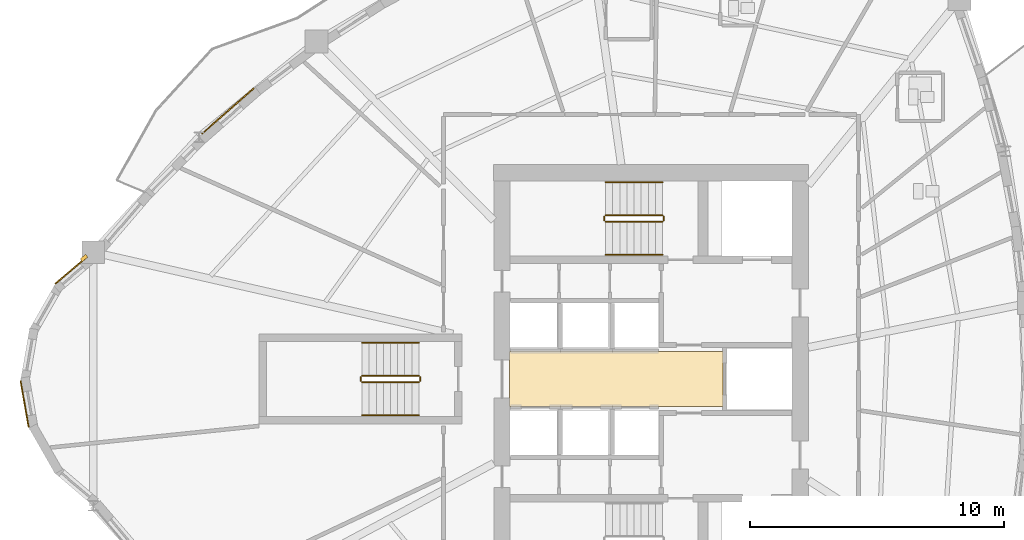
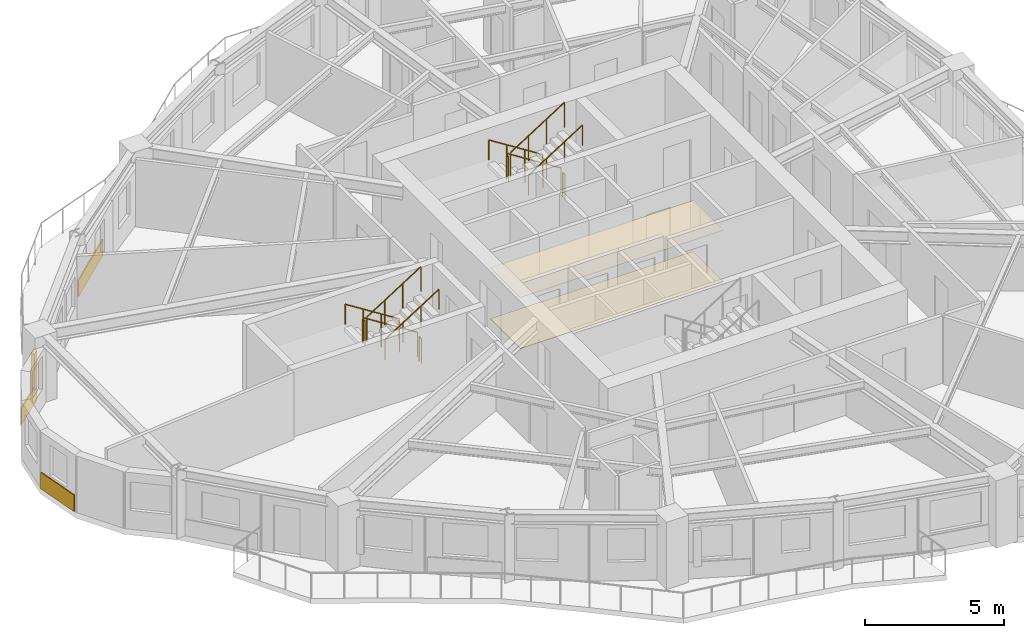
# One storey, part 10 of 12: 12 railings, 5 coverings, 1 shading device.
"""IFC4 building model written with IfcOpenShell, lengths in metres."""

import ifcopenshell
import ifcopenshell.guid

model = None  # the IFC model being written
_history = None  # IfcOwnerHistory: only IFC2X3 demands one
_inside = {}  # id of a spatial element -> (the spatial element, [elements in it])
_under = {}  # id of a project, library or spatial element -> (it, [spatial elements below it])
_declared = {}  # id of a project -> (the project, [libraries it declares])
_typed = {}  # id of a type object -> (the type object, [elements of that type])
_made_of = {}  # id of a material, layer set ... -> (it, [elements and type objects made of it])


def new_model(schema):
    """Start an empty IFC model of exactly this schema.

    Asked for "IFC4X3", IfcOpenShell would pick the latest addendum, in which some entities
    have other attributes; the version numbers below select the first issue.
    IFC2X3 requires an IfcOwnerHistory on every rooted entity: one is made here for all.
    """
    global model, _history
    if schema == "IFC4X3":
        model = ifcopenshell.file(schema_version=(4, 3, 0, 0))
    else:
        model = ifcopenshell.file(schema=schema)
    _inside.clear()
    _under.clear()
    _declared.clear()
    _typed.clear()
    _made_of.clear()
    _history = None
    if model.schema == "IFC2X3":
        org = make("IfcOrganization", Name="unknown")
        user = make(
            "IfcPersonAndOrganization",
            ThePerson=make("IfcPerson", FamilyName="unknown"),
            TheOrganization=org,
        )
        app = make(
            "IfcApplication",
            ApplicationDeveloper=org,
            Version="unknown",
            ApplicationFullName="unknown",
            ApplicationIdentifier="unknown",
        )
        _history = make(
            "IfcOwnerHistory",
            OwningUser=user,
            OwningApplication=app,
            ChangeAction="ADDED",
            CreationDate=0,
        )
    return model


def make(cls, **values):
    """One entity of the class cls with the attributes given. An attribute that is None is left unset."""
    return model.create_entity(
        cls, **{name: value for name, value in values.items() if value is not None}
    )


def rooted(cls, **values):
    """An entity with a GlobalId (a new one), such as an element, a storey or a relation."""
    return make(cls, GlobalId=ifcopenshell.guid.new(), OwnerHistory=_history, **values)


def si_unit(unit_type, name, prefix=None):
    """IfcSIUnit, for example si_unit("LENGTHUNIT", "METRE", prefix="MILLI")."""
    return make("IfcSIUnit", UnitType=unit_type, Prefix=prefix, Name=name)


def assignment(units):
    """IfcUnitAssignment: the units of a project."""
    return None if units is None else make("IfcUnitAssignment", Units=units)


def point(xyz):
    """IfcCartesianPoint."""
    return None if xyz is None else make("IfcCartesianPoint", Coordinates=xyz)


def direction(xyz):
    """IfcDirection."""
    return None if xyz is None else make("IfcDirection", DirectionRatios=xyz)


def frame(location, z_axis=None, x_axis=None):
    """IfcAxis2Placement3D, a coordinate frame: its origin and axes. An axis left out is left unset."""
    return make(
        "IfcAxis2Placement3D",
        Location=point(location),
        Axis=direction(z_axis),
        RefDirection=direction(x_axis),
    )


def frame_2d(location, x_axis=None):
    """IfcAxis2Placement2D, a coordinate frame in the plane: its origin and x axis."""
    return make(
        "IfcAxis2Placement2D", Location=point(location), RefDirection=direction(x_axis)
    )


def origin():
    """The frame at (0, 0, 0) with its axes left unset."""
    return frame((0.0, 0.0, 0.0))


def origin_2d():
    """The frame at (0, 0) in the plane with its x axis left unset."""
    return frame_2d((0.0, 0.0))


def place(relative_to, where):
    """IfcLocalPlacement: puts the frame where relative to a parent placement (None: the world)."""
    return make(
        "IfcLocalPlacement", PlacementRelTo=relative_to, RelativePlacement=where
    )


def context(
    kind, dimensions, precision=None, world=None, true_north=None, identifier=None
):
    """IfcGeometricRepresentationContext, for example the 3D "Model" context."""
    return make(
        "IfcGeometricRepresentationContext",
        ContextIdentifier=identifier,
        ContextType=kind,
        CoordinateSpaceDimension=dimensions,
        Precision=precision,
        WorldCoordinateSystem=world,
        TrueNorth=true_north,
    )


def subcontext(parent, identifier, kind, view, scale=None):
    """IfcGeometricRepresentationSubContext, for example "Body" below "Model"."""
    return make(
        "IfcGeometricRepresentationSubContext",
        ContextIdentifier=identifier,
        ContextType=kind,
        ParentContext=parent,
        TargetScale=scale,
        TargetView=view,
    )


def project(units=None, contexts=None):
    """IfcProject with its units and contexts."""
    return rooted(
        "IfcProject",
        Name="project",
        RepresentationContexts=contexts,
        UnitsInContext=assignment(units),
    )


def spatial(cls, under=None, at=None, **own):
    """A site, building, storey or space (cls), placed at a placement, below another one or the project."""
    s = rooted(cls, ObjectPlacement=at, **own)
    if under is not None:
        _under.setdefault(under.id(), (under, []))[1].append(s)
    return s


def polyline(points):
    """IfcPolyline through the points."""
    return make("IfcPolyline", Points=[point(p) for p in points])


def profile(cls, at=None, kind="AREA", **sizes):
    """A parametric profile (cls). Its sizes go by their IFC names, for example OverallWidth=200.0."""
    return make(cls, ProfileType=kind, Position=at, **sizes)


def rectangle(**sizes):
    """IfcRectangleProfileDef."""
    return profile("IfcRectangleProfileDef", **sizes)


def circle(**sizes):
    """IfcCircleProfileDef."""
    return profile("IfcCircleProfileDef", **sizes)


def outline(outer, holes=None, kind="AREA"):
    """IfcArbitraryClosedProfileDef: a profile drawn as a closed curve; with holes, ...WithVoids."""
    if holes is None:
        return make("IfcArbitraryClosedProfileDef", ProfileType=kind, OuterCurve=outer)
    return make(
        "IfcArbitraryProfileDefWithVoids",
        ProfileType=kind,
        OuterCurve=outer,
        InnerCurves=holes,
    )


def extrude(swept, where, along, depth):
    """IfcExtrudedAreaSolid: the profile swept, set in the frame where, extruded along a direction by depth."""
    return make(
        "IfcExtrudedAreaSolid",
        SweptArea=swept,
        Position=where,
        ExtrudedDirection=direction(along),
        Depth=depth,
    )


def shape(context_of_items, identifier, shape_type, items):
    """IfcShapeRepresentation: the items that make up one representation, for example the "Body"."""
    return make(
        "IfcShapeRepresentation",
        ContextOfItems=context_of_items,
        RepresentationIdentifier=identifier,
        RepresentationType=shape_type,
        Items=items,
    )


def source(mapping_origin, context_of_items, identifier, shape_type, items):
    """IfcRepresentationMap: a shape defined once, which mapped items show again and again."""
    return make(
        "IfcRepresentationMap",
        MappingOrigin=mapping_origin,
        MappedRepresentation=shape(context_of_items, identifier, shape_type, items),
    )


def transform(
    local_origin,
    x_axis=None,
    y_axis=None,
    z_axis=None,
    scale=None,
    scale2=None,
    scale3=None,
    uniform=True,
):
    """IfcCartesianTransformationOperator3D, or its non-uniform kind. x_axis, y_axis, z_axis: its Axis1, 2, 3."""
    if uniform:
        return make(
            "IfcCartesianTransformationOperator3D",
            Axis1=direction(x_axis),
            Axis2=direction(y_axis),
            LocalOrigin=point(local_origin),
            Scale=scale,
            Axis3=direction(z_axis),
        )
    return make(
        "IfcCartesianTransformationOperator3DnonUniform",
        Axis1=direction(x_axis),
        Axis2=direction(y_axis),
        LocalOrigin=point(local_origin),
        Scale=scale,
        Axis3=direction(z_axis),
        Scale2=scale2,
        Scale3=scale3,
    )


def mapped(mapping_source, mapping_target):
    """IfcMappedItem: shows the shape of a source again, moved by a transform."""
    return make(
        "IfcMappedItem", MappingSource=mapping_source, MappingTarget=mapping_target
    )


def material(Name=None, Category=None):
    """IfcMaterial."""
    return make("IfcMaterial", Name=Name, Category=Category)


def layer(
    of_material, thickness, ventilated=None, Name=None, Category=None, Priority=None
):
    """IfcMaterialLayer: one layer of a wall or slab, of a material (None: an air gap)."""
    return make(
        "IfcMaterialLayer",
        Material=of_material,
        LayerThickness=thickness,
        IsVentilated=ventilated,
        Name=Name,
        Category=Category,
        Priority=Priority,
    )


def layer_set(layers, Name=None):
    """IfcMaterialLayerSet."""
    return make("IfcMaterialLayerSet", MaterialLayers=layers, LayerSetName=Name)


def made_of(thing, what):
    """Note that an element or type object is made of a material, layer set ...; save() writes the relation."""
    if what is not None:
        _made_of.setdefault(what.id(), (what, []))[1].append(thing)
    return thing


def type_object(cls, material=None, **own):
    """A type object (cls), such as IfcWallType, which elements share."""
    return made_of(rooted(cls, **own), material)


def element(
    cls,
    number,
    at=None,
    inside=None,
    cuts=None,
    type_object=None,
    material=None,
    context=None,
    identifier="Body",
    shape_type=None,
    held_by="IfcProductDefinitionShape",
    body=None,
    shapes=None,
    **own,
):
    """One element of the class cls, such as IfcWall. Its Tag is "e" and its number.

    at: its placement. inside: the storey or other place that contains it. cuts: it is an
    opening in that element (IfcRelVoidsElement). A single representation is given by context,
    identifier, shape_type and body (its items); several are given by shapes. held_by: the class
    of the entity that holds the representations. save() writes the other relations.
    """
    e = rooted(cls, Tag="e%d" % number, ObjectPlacement=at, **own)
    if body is not None:
        shapes = [shape(context, identifier, shape_type, body)]
    if shapes is not None:
        e.Representation = make(held_by, Representations=shapes)
    if inside is not None:
        _inside.setdefault(inside.id(), (inside, []))[1].append(e)
    if cuts is not None:
        rooted(
            "IfcRelVoidsElement", RelatingBuildingElement=cuts, RelatedOpeningElement=e
        )
    if type_object is not None:
        _typed.setdefault(type_object.id(), (type_object, []))[1].append(e)
    return made_of(e, material)


def aggregate(whole, parts):
    """IfcRelAggregates: a whole, such as a stair, and the parts it consists of."""
    return rooted("IfcRelAggregates", RelatingObject=whole, RelatedObjects=parts)


def save(model, path):
    """Write the relations noted so far, then the file.

    IfcRelAggregates (storeys below a building ...), IfcRelContainedInSpatialStructure (elements
    in a storey), IfcRelDefinesByType, IfcRelAssociatesMaterial and IfcRelDeclares: one each for
    every whole, place, type object, material and project.
    """
    for whole, parts in _under.values():
        aggregate(whole, parts)
    for where, things in _inside.values():
        rooted(
            "IfcRelContainedInSpatialStructure",
            RelatedElements=things,
            RelatingStructure=where,
        )
    for kind, things in _typed.values():
        rooted("IfcRelDefinesByType", RelatedObjects=things, RelatingType=kind)
    for what, things in _made_of.values():
        rooted("IfcRelAssociatesMaterial", RelatedObjects=things, RelatingMaterial=what)
    for by, libraries in _declared.values():
        rooted("IfcRelDeclares", RelatingContext=by, RelatedDefinitions=libraries)
    model.write(path)


model = new_model("IFC4")

# Units and contexts
model_context = context("Model", 3, precision=1e-05, world=origin(), true_north=direction((0.0, 1.0)))
body_context = subcontext(model_context, "Body", "Model", "MODEL_VIEW")
ifc_project = project(units=[si_unit("LENGTHUNIT", "METRE"), si_unit("AREAUNIT", "SQUARE_METRE"), si_unit("VOLUMEUNIT", "CUBIC_METRE"), si_unit("PLANEANGLEUNIT", "RADIAN"), si_unit("MASSUNIT", "GRAM", prefix="KILO")], contexts=[model_context])

# Site, building, storey
site_placement = place(None, origin())
site = spatial("IfcSite", under=ifc_project, at=site_placement, CompositionType="ELEMENT")
building_placement = place(site_placement, origin())
building = spatial("IfcBuilding", under=site, at=building_placement, Name="Qafzar Sky-Pleat Residences", CompositionType="ELEMENT")
storey_placement = place(building_placement, frame((0.0, 0.0, 92.800048828125)))
storey = spatial("IfcBuildingStorey", under=building, at=storey_placement, Name="L27", CompositionType="ELEMENT", Elevation=92.800048828125)

# Coverings
ifc_material_1 = material(Name="Perforated acoustic gypsum board ceiling")
ifc_layer_1 = layer(ifc_material_1, 0.02001953125)
ifc_layer_set_1 = layer_set([ifc_layer_1], Name="Perforated acoustic gypsum board ceiling")
covering_type_1 = type_object("IfcCoveringType", Name="COV-CEIL-ACOUSTIC", PredefinedType="CEILING", material=ifc_layer_set_1)
covering_1_placement = place(storey_placement, frame((0.0, 0.0, 2.239990234375)))
element("IfcCovering", 1, at=covering_1_placement, inside=storey, type_object=covering_type_1, Name="L27 Passenger Lift Lobby Acoustic Ceiling", PredefinedType="CEILING", context=body_context, shape_type="SweptSolid", body=[
    extrude(outline(polyline([(33.179931640625, 24.919921875), (24.77001953125, 24.919921875), (24.77001953125, 27.080078125), (33.179931640625, 27.080078125), (33.179931640625, 24.919921875)])), origin(), (0.0, 0.0, 1.0), 0.02001953125),
])
ifc_material_2 = material(Name="Honed porcelain and Riyadh stone tile flooring", Category="masonry")
ifc_layer_2 = layer(ifc_material_2, 0.02001953125)
ifc_layer_set_2 = layer_set([ifc_layer_2], Name="Honed porcelain and Riyadh stone tile flooring")
covering_type_2 = type_object("IfcCoveringType", Name="COV-FLR-PORCELAIN", PredefinedType="FLOORING", material=ifc_layer_set_2)
covering_2_placement = place(storey_placement, origin())
element("IfcCovering", 2, at=covering_2_placement, inside=storey, type_object=covering_type_2, Name="L27 Passenger Lift Lobby Honed Stone Flooring", PredefinedType="FLOORING", context=body_context, shape_type="SweptSolid", body=[
    extrude(outline(polyline([(33.179931640625, 24.919921875), (24.77001953125, 24.919921875), (24.77001953125, 27.080078125), (33.179931640625, 27.080078125), (33.179931640625, 24.919921875)])), origin(), (0.0, 0.0, 1.0), 0.02001953125),
])

# Shading device
ifc_material_3 = material(Name="Honed Riyadh limestone solar fin", Category="masonry")
ifc_layer_3 = layer(ifc_material_3, 0.139892578125)
ifc_layer_set_3 = layer_set([ifc_layer_3], Name="Honed Riyadh limestone solar fin")
shading_device_type = type_object("IfcShadingDeviceType", Name="SHD-FIN-STONE", PredefinedType="SHUTTER", material=ifc_layer_set_3)
shared_shape_1 = source(origin(), body_context, "Body", "SweptSolid", [
    extrude(rectangle(XDim=0.139892578125, YDim=0.280029296875, at=origin_2d()), origin(), (0.0, 0.0, 1.0), 1.60009765625),
])
shading_device_placement = place(storey_placement, frame((8.001220703125, 30.771728515625, 0.599853515625), z_axis=(0.0, 0.0, 1.0), x_axis=(-0.648553503037, 0.761169070377, 0.0)))
element("IfcShadingDevice", 3, at=shading_device_placement, inside=storey, type_object=shading_device_type, Name="L27 Limestone Solar Fin 1", PredefinedType="SHUTTER", context=body_context, shape_type="MappedRepresentation", body=[
    mapped(shared_shape_1, transform((0.0, 0.0, 0.0), x_axis=(1.0, 0.0, 0.0), y_axis=(0.0, 1.0, 0.0), z_axis=(0.0, 0.0, 1.0), scale=1.0)),
])

# Coverings
ifc_material_4 = material(Name="Honed Riyadh Tuwaiq limestone cladding", Category="masonry")
ifc_layer_4 = layer(ifc_material_4, 0.044921875)
ifc_layer_set_4 = layer_set([ifc_layer_4], Name="Honed Riyadh Tuwaiq limestone cladding")
covering_type_3 = type_object("IfcCoveringType", Name="COV-CLAD-STONE", PredefinedType="CLADDING", material=ifc_layer_set_4)
shared_shape_2 = source(origin(), body_context, "Body", "SweptSolid", [
    extrude(rectangle(XDim=1.86572265625, YDim=0.044921875, at=origin_2d()), origin(), (0.0, 0.0, 1.0), 0.719970703125),
])
covering_3_placement = place(storey_placement, frame((5.66064453125, 25.0126953125, 0.02001953125), z_axis=(0.0, 0.0, 1.0), x_axis=(0.172161515838, -0.985068734893, 0.0)))
element("IfcCovering", 4, at=covering_3_placement, inside=storey, type_object=covering_type_3, Name="L27 Riyadh Limestone Spandrel Cladding 4", PredefinedType="CLADDING", context=body_context, shape_type="MappedRepresentation", body=[
    mapped(shared_shape_2, transform((0.0, 0.0, 0.0), x_axis=(1.0, 0.0, 0.0), y_axis=(0.0, 1.0, 0.0), z_axis=(0.0, 0.0, 1.0), scale=1.0)),
])
shared_shape_3 = source(origin(), body_context, "Body", "SweptSolid", [
    extrude(rectangle(XDim=1.62451171875, YDim=0.044921875, at=origin_2d()), origin(), (0.0, 0.0, 1.0), 0.719970703125),
])
covering_4_placement = place(storey_placement, frame((7.48876953125, 30.278564453125, 0.02001953125), z_axis=(0.0, 0.0, 1.0), x_axis=(-0.761200687732, -0.648516393777, 0.0)))
element("IfcCovering", 5, at=covering_4_placement, inside=storey, type_object=covering_type_3, Name="L27 Riyadh Limestone Spandrel Cladding 1", PredefinedType="CLADDING", context=body_context, shape_type="MappedRepresentation", body=[
    mapped(shared_shape_3, transform((0.0, 0.0, 0.0), x_axis=(1.0, 0.0, 0.0), y_axis=(0.0, 1.0, 0.0), z_axis=(0.0, 0.0, 1.0), scale=1.0)),
])
shared_shape_4 = source(origin(), body_context, "Body", "SweptSolid", [
    extrude(rectangle(XDim=2.716796875, YDim=0.044921875, at=origin_2d()), origin(), (0.0, 0.0, 1.0), 0.719970703125),
])
covering_5_placement = place(storey_placement, frame((13.66845703125, 36.56005859375, 0.02001953125), z_axis=(0.0, 0.0, 1.0), x_axis=(-0.7514983094, -0.659735015721, 0.0)))
element("IfcCovering", 6, at=covering_5_placement, inside=storey, type_object=covering_type_3, Name="L27 Riyadh Limestone Spandrel Cladding 46", PredefinedType="CLADDING", context=body_context, shape_type="MappedRepresentation", body=[
    mapped(shared_shape_4, transform((0.0, 0.0, 0.0), x_axis=(1.0, 0.0, 0.0), y_axis=(0.0, 1.0, 0.0), z_axis=(0.0, 0.0, 1.0), scale=1.0)),
])

# Railings
ifc_material_5 = material(Name="Painted Steel S355 stair guardrail", Category="steel")
railing_type_1 = type_object("IfcRailingType", Name="RAIL-STAIR-GUARD", PredefinedType="GUARDRAIL", material=ifc_material_5)
shared_shape_5 = source(origin(), body_context, "Body", "SweptSolid", [
    extrude(circle(Radius=0.02392578125, at=origin_2d()), frame((0.0, 0.0, 1.076171875), z_axis=(0.0, -1.0, 0.0), x_axis=(1.0, 0.0, 0.0)), (0.0, 0.0, 1.0), 0.14990234375),
    extrude(circle(Radius=0.02099609375, at=origin_2d()), origin(), (0.0, 0.0, 1.0), 1.052001953125),
    extrude(circle(Radius=0.02099609375, at=origin_2d()), frame((0.0, -0.14990234375, 0.0)), (0.0, 0.0, 1.0), 1.052001953125),
])
for number, where, name in (
    (7, (28.510009765625, 32.39990234375, 1.599853515625), "L27 ST2 stair guard 2"),
    (8, (30.85009765625, 32.39990234375, 0.0), "L27 ST2 stair guard 4"),
    (9, (18.909912109375, 26.074951171875, 1.599853515625), "L27 ST3 stair guard 2"),
    (10, (21.25, 26.074951171875, 0.0), "L27 ST3 stair guard 4"),
):
    element("IfcRailing", number, at=place(storey_placement, frame(where)), inside=storey, type_object=railing_type_1, Name=name, PredefinedType="GUARDRAIL", context=body_context, shape_type="MappedRepresentation", body=[
        mapped(shared_shape_5, transform((0.0, 0.0, 0.0), x_axis=(1.0, 0.0, 0.0), y_axis=(0.0, 1.0, 0.0), z_axis=(0.0, 0.0, 1.0), scale=1.0)),
    ])
shared_shape_6 = source(origin(), body_context, "Body", "SweptSolid", [
    extrude(circle(Radius=0.02392578125, at=origin_2d()), frame((0.0, 0.0, 1.076171875), z_axis=(-0.8442293374, 0.0, 0.53598211339), x_axis=(0.0, -1.0, 0.0)), (0.0, 0.0, 1.0), 2.6533203125),
    extrude(circle(Radius=0.02099609375, at=origin_2d()), origin(), (0.0, 0.0, 1.0), 1.052001953125),
    extrude(circle(Radius=0.02099609375, at=origin_2d()), frame((-0.74658203125, 0.0, 0.47412109375)), (0.0, 0.0, 1.0), 1.052001953125),
    extrude(circle(Radius=0.02099609375, at=origin_2d()), frame((-1.493408203125, 0.0, 0.947998046875)), (0.0, 0.0, 1.0), 1.052001953125),
    extrude(circle(Radius=0.02099609375, at=origin_2d()), frame((-2.239990234375, 0.0, 1.422119140625)), (0.0, 0.0, 1.0), 1.052001953125),
])
for number, where, name in (
    (11, (30.800048828125, 32.449951171875, 0.177734375), "L27 ST2 stair guard 1"),
    (12, (21.199951171875, 26.125, 0.177734375), "L27 ST3 stair guard 1"),
):
    element("IfcRailing", number, at=place(storey_placement, frame(where)), inside=storey, type_object=railing_type_1, Name=name, PredefinedType="GUARDRAIL", context=body_context, shape_type="MappedRepresentation", body=[
        mapped(shared_shape_6, transform((0.0, 0.0, 0.0), x_axis=(1.0, 0.0, 0.0), y_axis=(0.0, 1.0, 0.0), z_axis=(0.0, 0.0, 1.0), scale=1.0)),
    ])
shared_shape_7 = source(origin(), body_context, "Body", "SweptSolid", [
    extrude(circle(Radius=0.02392578125, at=origin_2d()), frame((0.0, 0.0, 1.076171875), z_axis=(0.8442293374, 0.0, 0.53598211339), x_axis=(0.0, 1.0, 0.0)), (0.0, 0.0, 1.0), 2.6533203125),
    extrude(circle(Radius=0.02099609375, at=origin_2d()), origin(), (0.0, 0.0, 1.0), 1.052001953125),
    extrude(circle(Radius=0.02099609375, at=origin_2d()), frame((0.74658203125, 0.0, 0.47412109375)), (0.0, 0.0, 1.0), 1.052001953125),
    extrude(circle(Radius=0.02099609375, at=origin_2d()), frame((1.493408203125, 0.0, 0.947998046875)), (0.0, 0.0, 1.0), 1.052001953125),
    extrude(circle(Radius=0.02099609375, at=origin_2d()), frame((2.239990234375, 0.0, 1.422119140625)), (0.0, 0.0, 1.0), 1.052001953125),
])
for number, where, name in (
    (13, (28.56005859375, 32.199951171875, 1.77783203125), "L27 ST2 stair guard 3"),
    (14, (18.9599609375, 25.875, 1.77783203125), "L27 ST3 stair guard 3"),
):
    element("IfcRailing", number, at=place(storey_placement, frame(where)), inside=storey, type_object=railing_type_1, Name=name, PredefinedType="GUARDRAIL", context=body_context, shape_type="MappedRepresentation", body=[
        mapped(shared_shape_7, transform((0.0, 0.0, 0.0), x_axis=(1.0, 0.0, 0.0), y_axis=(0.0, 1.0, 0.0), z_axis=(0.0, 0.0, 1.0), scale=1.0)),
    ])
ifc_material_6 = material(Name="Brushed stainless steel handrail", Category="steel")
railing_type_2 = type_object("IfcRailingType", Name="RAIL-STAIR-HAND", PredefinedType="HANDRAIL", material=ifc_material_6)
shared_shape_8 = source(origin(), body_context, "Body", "SweptSolid", [
    extrude(circle(Radius=0.02392578125, at=origin_2d()), frame((0.0, 0.0, 0.8759765625), z_axis=(-0.8442293374, 0.0, 0.53598211339), x_axis=(0.0, -1.0, 0.0)), (0.0, 0.0, 1.0), 2.6533203125),
    extrude(circle(Radius=0.02099609375, at=origin_2d()), origin(), (0.0, 0.0, 1.0), 0.851806640625),
    extrude(circle(Radius=0.02099609375, at=origin_2d()), frame((-0.74658203125, 0.0, 0.47412109375)), (0.0, 0.0, 1.0), 0.851806640625),
    extrude(circle(Radius=0.02099609375, at=origin_2d()), frame((-1.493408203125, 0.0, 0.947998046875)), (0.0, 0.0, 1.0), 0.851806640625),
    extrude(circle(Radius=0.02099609375, at=origin_2d()), frame((-2.239990234375, 0.0, 1.422119140625)), (0.0, 0.0, 1.0), 0.851806640625),
])
for number, where, name in (
    (15, (30.800048828125, 33.75, 0.177734375), "L27 ST2 stair handrail 1"),
    (16, (21.199951171875, 27.425048828125, 0.177734375), "L27 ST3 stair handrail 1"),
):
    element("IfcRailing", number, at=place(storey_placement, frame(where)), inside=storey, type_object=railing_type_2, Name=name, PredefinedType="HANDRAIL", context=body_context, shape_type="MappedRepresentation", body=[
        mapped(shared_shape_8, transform((0.0, 0.0, 0.0), x_axis=(1.0, 0.0, 0.0), y_axis=(0.0, 1.0, 0.0), z_axis=(0.0, 0.0, 1.0), scale=1.0)),
    ])
shared_shape_9 = source(origin(), body_context, "Body", "SweptSolid", [
    extrude(circle(Radius=0.02392578125, at=origin_2d()), frame((0.0, 0.0, 0.8759765625), z_axis=(0.8442293374, 0.0, 0.53598211339), x_axis=(0.0, 1.0, 0.0)), (0.0, 0.0, 1.0), 2.6533203125),
    extrude(circle(Radius=0.02099609375, at=origin_2d()), origin(), (0.0, 0.0, 1.0), 0.851806640625),
    extrude(circle(Radius=0.02099609375, at=origin_2d()), frame((0.74658203125, 0.0, 0.47412109375)), (0.0, 0.0, 1.0), 0.851806640625),
    extrude(circle(Radius=0.02099609375, at=origin_2d()), frame((1.493408203125, 0.0, 0.947998046875)), (0.0, 0.0, 1.0), 0.851806640625),
    extrude(circle(Radius=0.02099609375, at=origin_2d()), frame((2.239990234375, 0.0, 1.422119140625)), (0.0, 0.0, 1.0), 0.851806640625),
])
for number, where, name in (
    (17, (28.56005859375, 30.89990234375, 1.77783203125), "L27 ST2 stair handrail 2"),
    (18, (18.9599609375, 24.574951171875, 1.77783203125), "L27 ST3 stair handrail 2"),
):
    element("IfcRailing", number, at=place(storey_placement, frame(where)), inside=storey, type_object=railing_type_2, Name=name, PredefinedType="HANDRAIL", context=body_context, shape_type="MappedRepresentation", body=[
        mapped(shared_shape_9, transform((0.0, 0.0, 0.0), x_axis=(1.0, 0.0, 0.0), y_axis=(0.0, 1.0, 0.0), z_axis=(0.0, 0.0, 1.0), scale=1.0)),
    ])

save(model, "model.ifc")
